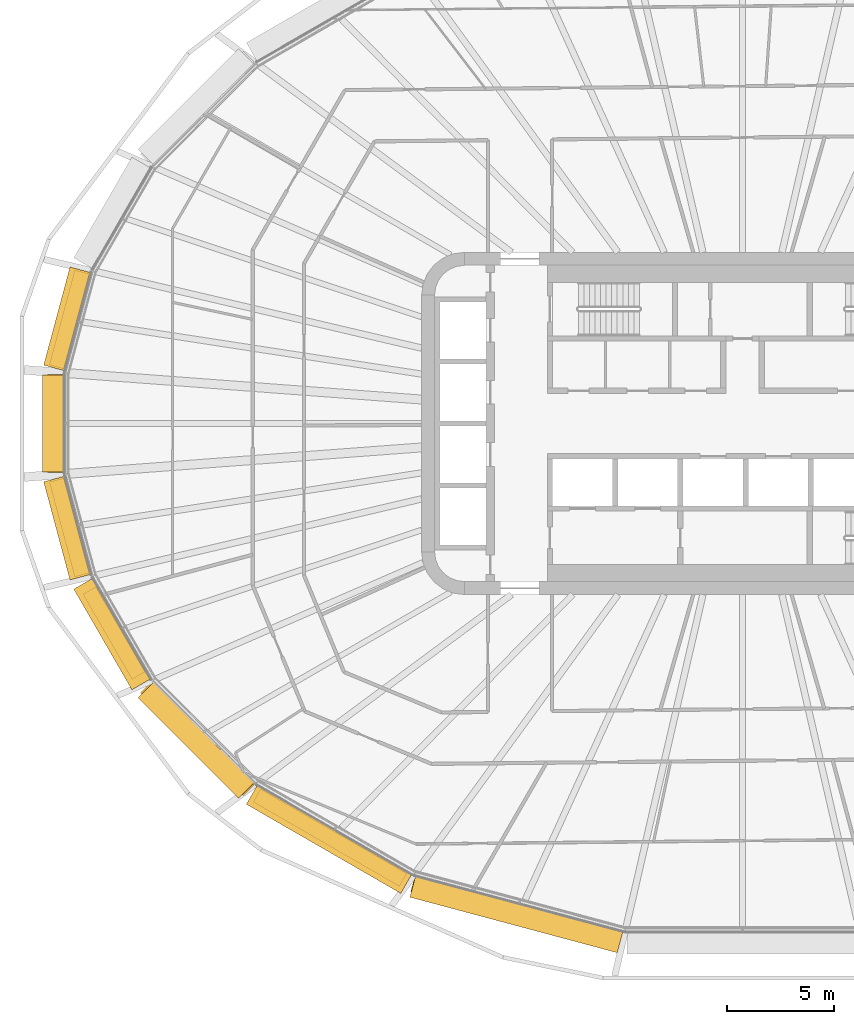
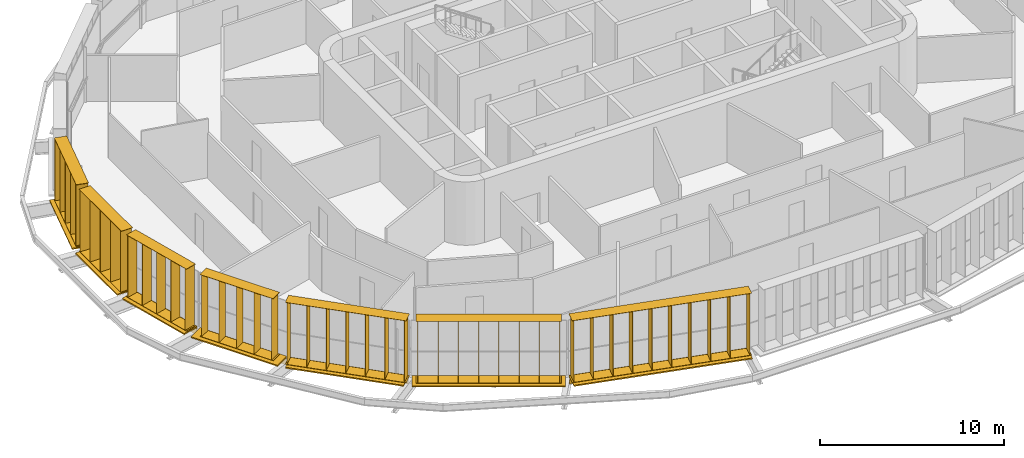
# One storey, part 21 of 26: 14 shading devices.
"""IFC4 building model written with IfcOpenShell, lengths in metres."""

from ifc_helpers import new_model, si_unit, direction, frame, origin, origin_2d, place, context, subcontext, project, spatial, rectangle, extrude, material, type_object, element, save


model = new_model("IFC4")

# Units and contexts
model_context = context("Model", 3, precision=1e-05, world=origin(), true_north=direction((0.0, 1.0)))
body_context = subcontext(model_context, "Body", "Model", "MODEL_VIEW")
ifc_project = project(units=[si_unit("LENGTHUNIT", "METRE"), si_unit("AREAUNIT", "SQUARE_METRE"), si_unit("VOLUMEUNIT", "CUBIC_METRE"), si_unit("PLANEANGLEUNIT", "RADIAN"), si_unit("MASSUNIT", "GRAM", prefix="KILO")], contexts=[model_context])

# Site, building, storey
site_placement = place(None, origin())
site = spatial("IfcSite", under=ifc_project, at=site_placement, CompositionType="ELEMENT")
building_placement = place(site_placement, origin())
building = spatial("IfcBuilding", under=site, at=building_placement, Name="Sahrelin Media Tower", CompositionType="ELEMENT")
storey_placement = place(building_placement, frame((0.0, 0.0, 92.39990234375)))
storey = spatial("IfcBuildingStorey", under=building, at=storey_placement, Name="L17", CompositionType="ELEMENT", Elevation=92.39990234375)

# Shading devices
ifc_material = material(Name="Champagne anodised aluminium 6063-T6", Category="aluminium")
shading_device_type_1 = type_object("IfcShadingDeviceType", Name="Fin cassette", PredefinedType="USERDEFINED", material=ifc_material)
placement_1 = place(storey_placement, frame((-31.07080078125, 4.757568359375, 0.0), z_axis=(0.0, 0.0, 1.0), x_axis=(0.258807731996, 0.965928857556, 0.0)))
element("IfcShadingDevice", 1, at=placement_1, inside=storey, type_object=shading_device_type_1, Name="L17:FIN:L17-11", ObjectType="FIN", PredefinedType="USERDEFINED", context=body_context, shape_type="SweptSolid", body=[
    extrude(rectangle(XDim=4.60009765625, YDim=0.699951171875, at=origin_2d()), frame((0.0, 0.419921875, 0.0)), (0.0, 0.0, 1.0), 0.02001953125),
    extrude(rectangle(XDim=4.60009765625, YDim=0.699951171875, at=origin_2d()), frame((0.0, 0.419921875, 4.10009765625)), (0.0, 0.0, 1.0), 0.02001953125),
    extrude(rectangle(XDim=0.02001953125, YDim=0.699951171875, at=origin_2d()), frame((-2.199951171875, 0.419921875, 0.010009765625), z_axis=(0.0, 0.0, 1.0), x_axis=(1.0, 0.0, 0.0)), (0.0, 0.0, 1.0), 4.10009765625),
    extrude(rectangle(XDim=0.02001953125, YDim=0.699951171875, at=origin_2d()), frame((-1.10009765625, 0.419921875, 0.010009765625), z_axis=(0.0, 0.0, 1.0), x_axis=(1.0, 0.0, 0.0)), (0.0, 0.0, 1.0), 4.10009765625),
    extrude(rectangle(XDim=0.02001953125, YDim=0.699951171875, at=origin_2d()), frame((0.0, 0.419921875, 0.010009765625), z_axis=(0.0, 0.0, 1.0), x_axis=(1.0, 0.0, 0.0)), (0.0, 0.0, 1.0), 4.10009765625),
    extrude(rectangle(XDim=0.02001953125, YDim=0.699951171875, at=origin_2d()), frame((1.10009765625, 0.419921875, 0.010009765625), z_axis=(0.0, 0.0, 1.0), x_axis=(1.0, 0.0, 0.0)), (0.0, 0.0, 1.0), 4.10009765625),
    extrude(rectangle(XDim=0.02001953125, YDim=0.699951171875, at=origin_2d()), frame((2.199951171875, 0.419921875, 0.010009765625), z_axis=(0.0, 0.0, 1.0), x_axis=(1.0, 0.0, 0.0)), (0.0, 0.0, 1.0), 4.10009765625),
])
placement_2 = place(storey_placement, frame((-31.711181640625, 0.0, 0.0), z_axis=(0.0, 0.0, 1.0), x_axis=(0.0, 1.0, 0.0)))
element("IfcShadingDevice", 2, at=placement_2, inside=storey, type_object=shading_device_type_1, Name="L17:FIN:L17-12", ObjectType="FIN", PredefinedType="USERDEFINED", context=body_context, shape_type="SweptSolid", body=[
    extrude(rectangle(XDim=4.60009765625, YDim=0.699951171875, at=origin_2d()), frame((0.0, 0.419921875, 0.0)), (0.0, 0.0, 1.0), 0.02001953125),
    extrude(rectangle(XDim=4.60009765625, YDim=0.699951171875, at=origin_2d()), frame((0.0, 0.419921875, 4.10009765625)), (0.0, 0.0, 1.0), 0.02001953125),
    extrude(rectangle(XDim=0.02001953125, YDim=0.699951171875, at=origin_2d()), frame((-2.199951171875, 0.419921875, 0.010009765625), z_axis=(0.0, 0.0, 1.0), x_axis=(1.0, 0.0, 0.0)), (0.0, 0.0, 1.0), 4.10009765625),
    extrude(rectangle(XDim=0.02001953125, YDim=0.699951171875, at=origin_2d()), frame((-1.10009765625, 0.419921875, 0.010009765625), z_axis=(0.0, 0.0, 1.0), x_axis=(1.0, 0.0, 0.0)), (0.0, 0.0, 1.0), 4.10009765625),
    extrude(rectangle(XDim=0.02001953125, YDim=0.699951171875, at=origin_2d()), frame((0.0, 0.419921875, 0.010009765625), z_axis=(0.0, 0.0, 1.0), x_axis=(1.0, 0.0, 0.0)), (0.0, 0.0, 1.0), 4.10009765625),
    extrude(rectangle(XDim=0.02001953125, YDim=0.699951171875, at=origin_2d()), frame((1.10009765625, 0.419921875, 0.010009765625), z_axis=(0.0, 0.0, 1.0), x_axis=(1.0, 0.0, 0.0)), (0.0, 0.0, 1.0), 4.10009765625),
    extrude(rectangle(XDim=0.02001953125, YDim=0.699951171875, at=origin_2d()), frame((2.199951171875, 0.419921875, 0.010009765625), z_axis=(0.0, 0.0, 1.0), x_axis=(1.0, 0.0, 0.0)), (0.0, 0.0, 1.0), 4.10009765625),
])
placement_3 = place(storey_placement, frame((-31.07080078125, -4.757568359375, 0.0), z_axis=(0.0, 0.0, 1.0), x_axis=(-0.258807731996, 0.965928857556, 0.0)))
element("IfcShadingDevice", 3, at=placement_3, inside=storey, type_object=shading_device_type_1, Name="L17:FIN:L17-13", ObjectType="FIN", PredefinedType="USERDEFINED", context=body_context, shape_type="SweptSolid", body=[
    extrude(rectangle(XDim=4.60009765625, YDim=0.699951171875, at=origin_2d()), frame((0.0, 0.419921875, 0.0)), (0.0, 0.0, 1.0), 0.02001953125),
    extrude(rectangle(XDim=4.60009765625, YDim=0.699951171875, at=origin_2d()), frame((0.0, 0.419921875, 4.10009765625)), (0.0, 0.0, 1.0), 0.02001953125),
    extrude(rectangle(XDim=0.02001953125, YDim=0.699951171875, at=origin_2d()), frame((-2.199951171875, 0.419921875, 0.010009765625), z_axis=(0.0, 0.0, 1.0), x_axis=(1.0, 0.0, 0.0)), (0.0, 0.0, 1.0), 4.10009765625),
    extrude(rectangle(XDim=0.02001953125, YDim=0.699951171875, at=origin_2d()), frame((-1.10009765625, 0.419921875, 0.010009765625), z_axis=(0.0, 0.0, 1.0), x_axis=(1.0, 0.0, 0.0)), (0.0, 0.0, 1.0), 4.10009765625),
    extrude(rectangle(XDim=0.02001953125, YDim=0.699951171875, at=origin_2d()), frame((0.0, 0.419921875, 0.010009765625), z_axis=(0.0, 0.0, 1.0), x_axis=(1.0, 0.0, 0.0)), (0.0, 0.0, 1.0), 4.10009765625),
    extrude(rectangle(XDim=0.02001953125, YDim=0.699951171875, at=origin_2d()), frame((1.10009765625, 0.419921875, 0.010009765625), z_axis=(0.0, 0.0, 1.0), x_axis=(1.0, 0.0, 0.0)), (0.0, 0.0, 1.0), 4.10009765625),
    extrude(rectangle(XDim=0.02001953125, YDim=0.699951171875, at=origin_2d()), frame((2.199951171875, 0.419921875, 0.010009765625), z_axis=(0.0, 0.0, 1.0), x_axis=(1.0, 0.0, 0.0)), (0.0, 0.0, 1.0), 4.10009765625),
])
placement_4 = place(storey_placement, frame((-29.021484375, -9.58837890625, 0.0), z_axis=(0.0, 0.0, 1.0), x_axis=(-0.500011000363, 0.866019052629, 0.0)))
element("IfcShadingDevice", 4, at=placement_4, inside=storey, type_object=shading_device_type_1, Name="L17:FIN:L17-14", ObjectType="FIN", PredefinedType="USERDEFINED", context=body_context, shape_type="SweptSolid", body=[
    extrude(rectangle(XDim=4.60009765625, YDim=0.699951171875, at=origin_2d()), frame((0.0, 0.419921875, 0.0)), (0.0, 0.0, 1.0), 0.02001953125),
    extrude(rectangle(XDim=4.60009765625, YDim=0.699951171875, at=origin_2d()), frame((0.0, 0.419921875, 4.10009765625)), (0.0, 0.0, 1.0), 0.02001953125),
    extrude(rectangle(XDim=0.02001953125, YDim=0.699951171875, at=origin_2d()), frame((-2.199951171875, 0.419921875, 0.010009765625), z_axis=(0.0, 0.0, 1.0), x_axis=(1.0, 0.0, 0.0)), (0.0, 0.0, 1.0), 4.10009765625),
    extrude(rectangle(XDim=0.02001953125, YDim=0.699951171875, at=origin_2d()), frame((-1.10009765625, 0.419921875, 0.010009765625), z_axis=(0.0, 0.0, 1.0), x_axis=(1.0, 0.0, 0.0)), (0.0, 0.0, 1.0), 4.10009765625),
    extrude(rectangle(XDim=0.02001953125, YDim=0.699951171875, at=origin_2d()), frame((0.0, 0.419921875, 0.010009765625), z_axis=(0.0, 0.0, 1.0), x_axis=(1.0, 0.0, 0.0)), (0.0, 0.0, 1.0), 4.10009765625),
    extrude(rectangle(XDim=0.02001953125, YDim=0.699951171875, at=origin_2d()), frame((1.10009765625, 0.419921875, 0.010009765625), z_axis=(0.0, 0.0, 1.0), x_axis=(1.0, 0.0, 0.0)), (0.0, 0.0, 1.0), 4.10009765625),
    extrude(rectangle(XDim=0.02001953125, YDim=0.699951171875, at=origin_2d()), frame((2.199951171875, 0.419921875, 0.010009765625), z_axis=(0.0, 0.0, 1.0), x_axis=(1.0, 0.0, 0.0)), (0.0, 0.0, 1.0), 4.10009765625),
])
placement_5 = place(storey_placement, frame((-25.192138671875, -14.44873046875, 0.0), z_axis=(0.0, 0.0, 1.0), x_axis=(-0.707106781187, 0.707106781187, 0.0)))
element("IfcShadingDevice", 5, at=placement_5, inside=storey, type_object=shading_device_type_1, Name="L17:FIN:L17-15", ObjectType="FIN", PredefinedType="USERDEFINED", context=body_context, shape_type="SweptSolid", body=[
    extrude(rectangle(XDim=6.800048828125, YDim=0.699951171875, at=origin_2d()), frame((0.0, 0.419921875, 0.0)), (0.0, 0.0, 1.0), 0.02001953125),
    extrude(rectangle(XDim=6.800048828125, YDim=0.699951171875, at=origin_2d()), frame((0.0, 0.419921875, 4.10009765625)), (0.0, 0.0, 1.0), 0.02001953125),
    extrude(rectangle(XDim=0.02001953125, YDim=0.699951171875, at=origin_2d()), frame((-3.300048828125, 0.419921875, 0.010009765625), z_axis=(0.0, 0.0, 1.0), x_axis=(1.0, 0.0, 0.0)), (0.0, 0.0, 1.0), 4.10009765625),
    extrude(rectangle(XDim=0.02001953125, YDim=0.699951171875, at=origin_2d()), frame((-2.199951171875, 0.419921875, 0.010009765625), z_axis=(0.0, 0.0, 1.0), x_axis=(1.0, 0.0, 0.0)), (0.0, 0.0, 1.0), 4.10009765625),
    extrude(rectangle(XDim=0.02001953125, YDim=0.699951171875, at=origin_2d()), frame((-1.10009765625, 0.419921875, 0.010009765625), z_axis=(0.0, 0.0, 1.0), x_axis=(1.0, 0.0, 0.0)), (0.0, 0.0, 1.0), 4.10009765625),
    extrude(rectangle(XDim=0.02001953125, YDim=0.699951171875, at=origin_2d()), frame((0.0, 0.419921875, 0.010009765625), z_axis=(0.0, 0.0, 1.0), x_axis=(1.0, 0.0, 0.0)), (0.0, 0.0, 1.0), 4.10009765625),
    extrude(rectangle(XDim=0.02001953125, YDim=0.699951171875, at=origin_2d()), frame((1.10009765625, 0.419921875, 0.010009765625), z_axis=(0.0, 0.0, 1.0), x_axis=(1.0, 0.0, 0.0)), (0.0, 0.0, 1.0), 4.10009765625),
    extrude(rectangle(XDim=0.02001953125, YDim=0.699951171875, at=origin_2d()), frame((2.199951171875, 0.419921875, 0.010009765625), z_axis=(0.0, 0.0, 1.0), x_axis=(1.0, 0.0, 0.0)), (0.0, 0.0, 1.0), 4.10009765625),
    extrude(rectangle(XDim=0.02001953125, YDim=0.699951171875, at=origin_2d()), frame((3.300048828125, 0.419921875, 0.010009765625), z_axis=(0.0, 0.0, 1.0), x_axis=(1.0, 0.0, 0.0)), (0.0, 0.0, 1.0), 4.10009765625),
])
placement_6 = place(storey_placement, frame((-19.074951171875, -19.003662109375, 0.0), z_axis=(0.0, 0.0, 1.0), x_axis=(-0.866019052629, 0.500011000363, 0.0)))
element("IfcShadingDevice", 6, at=placement_6, inside=storey, type_object=shading_device_type_1, Name="L17:FIN:L17-16", ObjectType="FIN", PredefinedType="USERDEFINED", context=body_context, shape_type="SweptSolid", body=[
    extrude(rectangle(XDim=7.89990234375, YDim=0.699951171875, at=origin_2d()), frame((0.0, 0.419921875, 0.0)), (0.0, 0.0, 1.0), 0.02001953125),
    extrude(rectangle(XDim=7.89990234375, YDim=0.699951171875, at=origin_2d()), frame((0.0, 0.419921875, 4.10009765625)), (0.0, 0.0, 1.0), 0.02001953125),
    extrude(rectangle(XDim=0.02001953125, YDim=0.699951171875, at=origin_2d()), frame((-3.85009765625, 0.419921875, 0.010009765625), z_axis=(0.0, 0.0, 1.0), x_axis=(1.0, 0.0, 0.0)), (0.0, 0.0, 1.0), 4.10009765625),
    extrude(rectangle(XDim=0.02001953125, YDim=0.699951171875, at=origin_2d()), frame((-2.75, 0.419921875, 0.010009765625), z_axis=(0.0, 0.0, 1.0), x_axis=(1.0, 0.0, 0.0)), (0.0, 0.0, 1.0), 4.10009765625),
    extrude(rectangle(XDim=0.02001953125, YDim=0.699951171875, at=origin_2d()), frame((-1.64990234375, 0.419921875, 0.010009765625), z_axis=(0.0, 0.0, 1.0), x_axis=(1.0, 0.0, 0.0)), (0.0, 0.0, 1.0), 4.10009765625),
    extrude(rectangle(XDim=0.02001953125, YDim=0.699951171875, at=origin_2d()), frame((-0.550048828125, 0.419921875, 0.010009765625), z_axis=(0.0, 0.0, 1.0), x_axis=(1.0, 0.0, 0.0)), (0.0, 0.0, 1.0), 4.10009765625),
    extrude(rectangle(XDim=0.02001953125, YDim=0.699951171875, at=origin_2d()), frame((0.550048828125, 0.419921875, 0.010009765625), z_axis=(0.0, 0.0, 1.0), x_axis=(1.0, 0.0, 0.0)), (0.0, 0.0, 1.0), 4.10009765625),
    extrude(rectangle(XDim=0.02001953125, YDim=0.699951171875, at=origin_2d()), frame((1.64990234375, 0.419921875, 0.010009765625), z_axis=(0.0, 0.0, 1.0), x_axis=(1.0, 0.0, 0.0)), (0.0, 0.0, 1.0), 4.10009765625),
    extrude(rectangle(XDim=0.02001953125, YDim=0.699951171875, at=origin_2d()), frame((2.75, 0.419921875, 0.010009765625), z_axis=(0.0, 0.0, 1.0), x_axis=(1.0, 0.0, 0.0)), (0.0, 0.0, 1.0), 4.10009765625),
    extrude(rectangle(XDim=0.02001953125, YDim=0.699951171875, at=origin_2d()), frame((3.85009765625, 0.419921875, 0.010009765625), z_axis=(0.0, 0.0, 1.0), x_axis=(1.0, 0.0, 0.0)), (0.0, 0.0, 1.0), 4.10009765625),
])
placement_7 = place(storey_placement, frame((-10.436279296875, -22.4619140625, 0.0), z_axis=(0.0, 0.0, 1.0), x_axis=(-0.965928857556, 0.258807731996, 0.0)))
element("IfcShadingDevice", 7, at=placement_7, inside=storey, type_object=shading_device_type_1, Name="L17:FIN:L17-17", ObjectType="FIN", PredefinedType="USERDEFINED", context=body_context, shape_type="SweptSolid", body=[
    extrude(rectangle(XDim=10.10009765625, YDim=0.699951171875, at=origin_2d()), frame((0.0, 0.419921875, 0.0)), (0.0, 0.0, 1.0), 0.02001953125),
    extrude(rectangle(XDim=10.10009765625, YDim=0.699951171875, at=origin_2d()), frame((0.0, 0.419921875, 4.10009765625)), (0.0, 0.0, 1.0), 0.02001953125),
    extrude(rectangle(XDim=0.02001953125, YDim=0.699951171875, at=origin_2d()), frame((-4.949951171875, 0.419921875, 0.010009765625), z_axis=(0.0, 0.0, 1.0), x_axis=(1.0, 0.0, 0.0)), (0.0, 0.0, 1.0), 4.10009765625),
    extrude(rectangle(XDim=0.02001953125, YDim=0.699951171875, at=origin_2d()), frame((-3.85009765625, 0.419921875, 0.010009765625), z_axis=(0.0, 0.0, 1.0), x_axis=(1.0, 0.0, 0.0)), (0.0, 0.0, 1.0), 4.10009765625),
    extrude(rectangle(XDim=0.02001953125, YDim=0.699951171875, at=origin_2d()), frame((-2.75, 0.419921875, 0.010009765625), z_axis=(0.0, 0.0, 1.0), x_axis=(1.0, 0.0, 0.0)), (0.0, 0.0, 1.0), 4.10009765625),
    extrude(rectangle(XDim=0.02001953125, YDim=0.699951171875, at=origin_2d()), frame((-1.64990234375, 0.419921875, 0.010009765625), z_axis=(0.0, 0.0, 1.0), x_axis=(1.0, 0.0, 0.0)), (0.0, 0.0, 1.0), 4.10009765625),
    extrude(rectangle(XDim=0.02001953125, YDim=0.699951171875, at=origin_2d()), frame((-0.550048828125, 0.419921875, 0.010009765625), z_axis=(0.0, 0.0, 1.0), x_axis=(1.0, 0.0, 0.0)), (0.0, 0.0, 1.0), 4.10009765625),
    extrude(rectangle(XDim=0.02001953125, YDim=0.699951171875, at=origin_2d()), frame((0.550048828125, 0.419921875, 0.010009765625), z_axis=(0.0, 0.0, 1.0), x_axis=(1.0, 0.0, 0.0)), (0.0, 0.0, 1.0), 4.10009765625),
    extrude(rectangle(XDim=0.02001953125, YDim=0.699951171875, at=origin_2d()), frame((1.64990234375, 0.419921875, 0.010009765625), z_axis=(0.0, 0.0, 1.0), x_axis=(1.0, 0.0, 0.0)), (0.0, 0.0, 1.0), 4.10009765625),
    extrude(rectangle(XDim=0.02001953125, YDim=0.699951171875, at=origin_2d()), frame((2.75, 0.419921875, 0.010009765625), z_axis=(0.0, 0.0, 1.0), x_axis=(1.0, 0.0, 0.0)), (0.0, 0.0, 1.0), 4.10009765625),
    extrude(rectangle(XDim=0.02001953125, YDim=0.699951171875, at=origin_2d()), frame((3.85009765625, 0.419921875, 0.010009765625), z_axis=(0.0, 0.0, 1.0), x_axis=(1.0, 0.0, 0.0)), (0.0, 0.0, 1.0), 4.10009765625),
    extrude(rectangle(XDim=0.02001953125, YDim=0.699951171875, at=origin_2d()), frame((4.949951171875, 0.419921875, 0.010009765625), z_axis=(0.0, 0.0, 1.0), x_axis=(1.0, 0.0, 0.0)), (0.0, 0.0, 1.0), 4.10009765625),
])
shading_device_type_2 = type_object("IfcShadingDeviceType", Name="Sunshade band", PredefinedType="USERDEFINED", material=ifc_material)
element("IfcShadingDevice", 8, at=placement_1, inside=storey, type_object=shading_device_type_2, Name="L17:SUN:L17-11", ObjectType="SUNSHADE", PredefinedType="USERDEFINED", context=body_context, shape_type="SweptSolid", body=[
    extrude(rectangle(XDim=4.75048828125, YDim=0.050048828125, at=origin_2d()), frame((0.0, 0.044921875, -0.55126953125)), (0.0, 0.0, 1.0), 0.471435546875),
    extrude(rectangle(XDim=4.75048828125, YDim=1.0, at=origin_2d()), frame((0.0, 0.52001953125, -0.080078125)), (0.0, 0.0, 1.0), 0.080078125),
    extrude(rectangle(XDim=0.10009765625, YDim=0.074951171875, at=origin_2d()), frame((-2.275390625, -0.017578125, -0.47021484375)), (0.0, 0.0, 1.0), 0.300048828125),
    extrude(rectangle(XDim=0.10009765625, YDim=0.074951171875, at=origin_2d()), frame((-0.75830078125, -0.017578125, -0.47021484375)), (0.0, 0.0, 1.0), 0.300048828125),
    extrude(rectangle(XDim=0.10009765625, YDim=0.074951171875, at=origin_2d()), frame((0.75830078125, -0.017578125, -0.47021484375)), (0.0, 0.0, 1.0), 0.300048828125),
    extrude(rectangle(XDim=0.10009765625, YDim=0.074951171875, at=origin_2d()), frame((2.275390625, -0.017578125, -0.47021484375)), (0.0, 0.0, 1.0), 0.300048828125),
])
element("IfcShadingDevice", 9, at=placement_2, inside=storey, type_object=shading_device_type_2, Name="L17:SUN:L17-12", ObjectType="SUNSHADE", PredefinedType="USERDEFINED", context=body_context, shape_type="SweptSolid", body=[
    extrude(rectangle(XDim=4.533447265625, YDim=0.050048828125, at=origin_2d()), frame((0.0, 0.044921875, -0.55126953125)), (0.0, 0.0, 1.0), 0.471435546875),
    extrude(rectangle(XDim=4.533447265625, YDim=1.0, at=origin_2d()), frame((0.0, 0.52001953125, -0.080078125)), (0.0, 0.0, 1.0), 0.080078125),
    extrude(rectangle(XDim=0.10009765625, YDim=0.074951171875, at=origin_2d()), frame((-2.166748046875, -0.017578125, -0.47021484375)), (0.0, 0.0, 1.0), 0.300048828125),
    extrude(rectangle(XDim=0.10009765625, YDim=0.074951171875, at=origin_2d()), frame((-0.72216796875, -0.017578125, -0.47021484375)), (0.0, 0.0, 1.0), 0.300048828125),
    extrude(rectangle(XDim=0.10009765625, YDim=0.074951171875, at=origin_2d()), frame((0.72216796875, -0.017578125, -0.47021484375)), (0.0, 0.0, 1.0), 0.300048828125),
    extrude(rectangle(XDim=0.10009765625, YDim=0.074951171875, at=origin_2d()), frame((2.166748046875, -0.017578125, -0.47021484375)), (0.0, 0.0, 1.0), 0.300048828125),
])
element("IfcShadingDevice", 10, at=placement_3, inside=storey, type_object=shading_device_type_2, Name="L17:SUN:L17-13", ObjectType="SUNSHADE", PredefinedType="USERDEFINED", context=body_context, shape_type="SweptSolid", body=[
    extrude(rectangle(XDim=4.75048828125, YDim=0.050048828125, at=origin_2d()), frame((0.0, 0.044921875, -0.55126953125)), (0.0, 0.0, 1.0), 0.471435546875),
    extrude(rectangle(XDim=4.75048828125, YDim=1.0, at=origin_2d()), frame((0.0, 0.52001953125, -0.080078125)), (0.0, 0.0, 1.0), 0.080078125),
    extrude(rectangle(XDim=0.10009765625, YDim=0.074951171875, at=origin_2d()), frame((-2.275390625, -0.017578125, -0.47021484375)), (0.0, 0.0, 1.0), 0.300048828125),
    extrude(rectangle(XDim=0.10009765625, YDim=0.074951171875, at=origin_2d()), frame((-0.75830078125, -0.017578125, -0.47021484375)), (0.0, 0.0, 1.0), 0.300048828125),
    extrude(rectangle(XDim=0.10009765625, YDim=0.074951171875, at=origin_2d()), frame((0.75830078125, -0.017578125, -0.47021484375)), (0.0, 0.0, 1.0), 0.300048828125),
    extrude(rectangle(XDim=0.10009765625, YDim=0.074951171875, at=origin_2d()), frame((2.275390625, -0.017578125, -0.47021484375)), (0.0, 0.0, 1.0), 0.300048828125),
])
element("IfcShadingDevice", 11, at=placement_4, inside=storey, type_object=shading_device_type_2, Name="L17:SUN:L17-14", ObjectType="SUNSHADE", PredefinedType="USERDEFINED", context=body_context, shape_type="SweptSolid", body=[
    extrude(rectangle(XDim=5.43408203125, YDim=0.050048828125, at=origin_2d()), frame((0.0, 0.044921875, -0.55126953125)), (0.0, 0.0, 1.0), 0.471435546875),
    extrude(rectangle(XDim=5.43408203125, YDim=1.0, at=origin_2d()), frame((0.0, 0.52001953125, -0.080078125)), (0.0, 0.0, 1.0), 0.080078125),
    extrude(rectangle(XDim=0.10009765625, YDim=0.074951171875, at=origin_2d()), frame((-2.616943359375, -0.017578125, -0.47021484375)), (0.0, 0.0, 1.0), 0.300048828125),
    extrude(rectangle(XDim=0.10009765625, YDim=0.074951171875, at=origin_2d()), frame((-0.872314453125, -0.017578125, -0.47021484375)), (0.0, 0.0, 1.0), 0.300048828125),
    extrude(rectangle(XDim=0.10009765625, YDim=0.074951171875, at=origin_2d()), frame((0.872314453125, -0.017578125, -0.47021484375)), (0.0, 0.0, 1.0), 0.300048828125),
    extrude(rectangle(XDim=0.10009765625, YDim=0.074951171875, at=origin_2d()), frame((2.616943359375, -0.017578125, -0.47021484375)), (0.0, 0.0, 1.0), 0.300048828125),
])
element("IfcShadingDevice", 12, at=placement_5, inside=storey, type_object=shading_device_type_2, Name="L17:SUN:L17-15", ObjectType="SUNSHADE", PredefinedType="USERDEFINED", context=body_context, shape_type="SweptSolid", body=[
    extrude(rectangle(XDim=6.64697265625, YDim=0.050048828125, at=origin_2d()), frame((0.0, 0.044921875, -0.55126953125)), (0.0, 0.0, 1.0), 0.471435546875),
    extrude(rectangle(XDim=6.64697265625, YDim=1.0, at=origin_2d()), frame((0.0, 0.52001953125, -0.080078125)), (0.0, 0.0, 1.0), 0.080078125),
    extrude(rectangle(XDim=0.10009765625, YDim=0.074951171875, at=origin_2d()), frame((-3.223388671875, -0.017578125, -0.47021484375)), (0.0, 0.0, 1.0), 0.300048828125),
    extrude(rectangle(XDim=0.10009765625, YDim=0.074951171875, at=origin_2d()), frame((-1.61181640625, -0.017578125, -0.47021484375)), (0.0, 0.0, 1.0), 0.300048828125),
    extrude(rectangle(XDim=0.10009765625, YDim=0.074951171875, at=origin_2d()), frame((0.0, -0.017578125, -0.47021484375)), (0.0, 0.0, 1.0), 0.300048828125),
    extrude(rectangle(XDim=0.10009765625, YDim=0.074951171875, at=origin_2d()), frame((1.61181640625, -0.017578125, -0.47021484375)), (0.0, 0.0, 1.0), 0.300048828125),
    extrude(rectangle(XDim=0.10009765625, YDim=0.074951171875, at=origin_2d()), frame((3.223388671875, -0.017578125, -0.47021484375)), (0.0, 0.0, 1.0), 0.300048828125),
])
element("IfcShadingDevice", 13, at=placement_6, inside=storey, type_object=shading_device_type_2, Name="L17:SUN:L17-16", ObjectType="SUNSHADE", PredefinedType="USERDEFINED", context=body_context, shape_type="SweptSolid", body=[
    extrude(rectangle(XDim=8.336669921875, YDim=0.050048828125, at=origin_2d()), frame((0.0, 0.044921875, -0.55126953125)), (0.0, 0.0, 1.0), 0.471435546875),
    extrude(rectangle(XDim=8.336669921875, YDim=1.0, at=origin_2d()), frame((0.0, 0.52001953125, -0.080078125)), (0.0, 0.0, 1.0), 0.080078125),
    extrude(rectangle(XDim=0.10009765625, YDim=0.074951171875, at=origin_2d()), frame((-4.068359375, -0.017578125, -0.47021484375)), (0.0, 0.0, 1.0), 0.300048828125),
    extrude(rectangle(XDim=0.10009765625, YDim=0.074951171875, at=origin_2d()), frame((-2.44091796875, -0.017578125, -0.47021484375)), (0.0, 0.0, 1.0), 0.300048828125),
    extrude(rectangle(XDim=0.10009765625, YDim=0.074951171875, at=origin_2d()), frame((-0.813720703125, -0.017578125, -0.47021484375)), (0.0, 0.0, 1.0), 0.300048828125),
    extrude(rectangle(XDim=0.10009765625, YDim=0.074951171875, at=origin_2d()), frame((0.813720703125, -0.017578125, -0.47021484375)), (0.0, 0.0, 1.0), 0.300048828125),
    extrude(rectangle(XDim=0.10009765625, YDim=0.074951171875, at=origin_2d()), frame((2.44091796875, -0.017578125, -0.47021484375)), (0.0, 0.0, 1.0), 0.300048828125),
    extrude(rectangle(XDim=0.10009765625, YDim=0.074951171875, at=origin_2d()), frame((4.068359375, -0.017578125, -0.47021484375)), (0.0, 0.0, 1.0), 0.300048828125),
])
element("IfcShadingDevice", 14, at=placement_7, inside=storey, type_object=shading_device_type_2, Name="L17:SUN:L17-17", ObjectType="SUNSHADE", PredefinedType="USERDEFINED", context=body_context, shape_type="SweptSolid", body=[
    extrude(rectangle(XDim=10.033203125, YDim=0.050048828125, at=origin_2d()), frame((0.0, 0.044921875, -0.55126953125)), (0.0, 0.0, 1.0), 0.471435546875),
    extrude(rectangle(XDim=10.033203125, YDim=1.0, at=origin_2d()), frame((0.0, 0.52001953125, -0.080078125)), (0.0, 0.0, 1.0), 0.080078125),
    extrude(rectangle(XDim=0.10009765625, YDim=0.074951171875, at=origin_2d()), frame((-4.91650390625, -0.017578125, -0.47021484375)), (0.0, 0.0, 1.0), 0.300048828125),
    extrude(rectangle(XDim=0.10009765625, YDim=0.074951171875, at=origin_2d()), frame((-3.277587890625, -0.017578125, -0.47021484375)), (0.0, 0.0, 1.0), 0.300048828125),
    extrude(rectangle(XDim=0.10009765625, YDim=0.074951171875, at=origin_2d()), frame((-1.638916015625, -0.017578125, -0.47021484375)), (0.0, 0.0, 1.0), 0.300048828125),
    extrude(rectangle(XDim=0.10009765625, YDim=0.074951171875, at=origin_2d()), frame((0.0, -0.017578125, -0.47021484375)), (0.0, 0.0, 1.0), 0.300048828125),
    extrude(rectangle(XDim=0.10009765625, YDim=0.074951171875, at=origin_2d()), frame((1.638916015625, -0.017578125, -0.47021484375)), (0.0, 0.0, 1.0), 0.300048828125),
    extrude(rectangle(XDim=0.10009765625, YDim=0.074951171875, at=origin_2d()), frame((3.277587890625, -0.017578125, -0.47021484375)), (0.0, 0.0, 1.0), 0.300048828125),
    extrude(rectangle(XDim=0.10009765625, YDim=0.074951171875, at=origin_2d()), frame((4.91650390625, -0.017578125, -0.47021484375)), (0.0, 0.0, 1.0), 0.300048828125),
])

save(model, "model.ifc")
